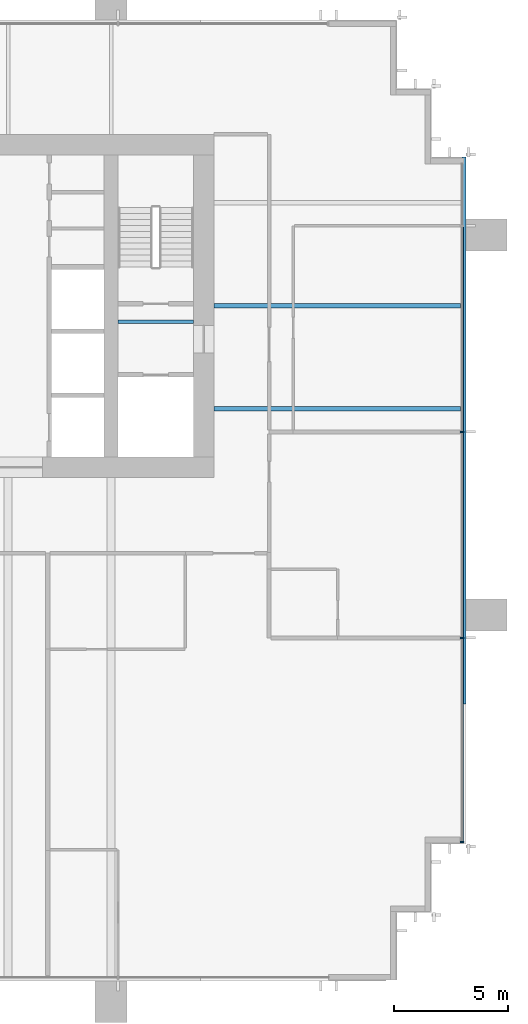
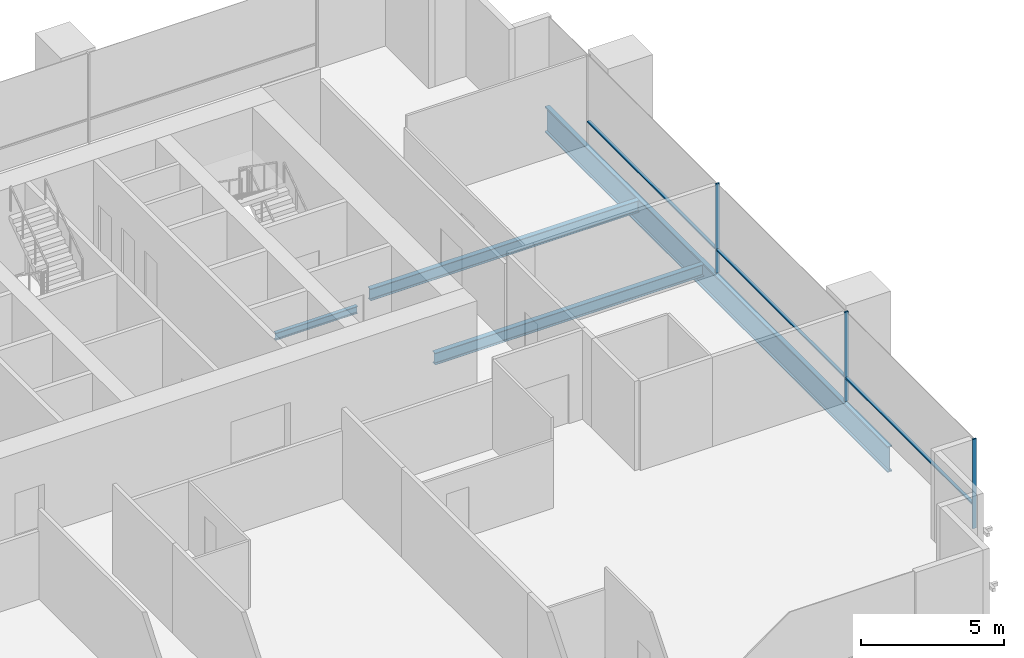
# One storey, part 6 of 14: 6 members, 4 beams, 1 element without a shape of its own.
"""IFC4 building model written with IfcOpenShell, lengths in metres."""

from ifc_helpers import new_model, si_unit, direction, frame, origin, origin_2d, place, context, subcontext, project, spatial, rectangle, i_section, extrude, material, material_profile, profile_set, type_object, element, aggregate, save


model = new_model("IFC4")

# Units and contexts
model_context = context("Model", 3, precision=1e-05, world=origin(), true_north=direction((0.0, 1.0)))
body_context = subcontext(model_context, "Body", "Model", "MODEL_VIEW")
ifc_project = project(units=[si_unit("LENGTHUNIT", "METRE"), si_unit("AREAUNIT", "SQUARE_METRE"), si_unit("VOLUMEUNIT", "CUBIC_METRE"), si_unit("PLANEANGLEUNIT", "RADIAN"), si_unit("MASSUNIT", "GRAM", prefix="KILO")], contexts=[model_context])

# Site, building, storey
site_placement = place(None, origin())
site = spatial("IfcSite", under=ifc_project, at=site_placement, CompositionType="ELEMENT")
building_placement = place(site_placement, origin())
building = spatial("IfcBuilding", under=site, at=building_placement, Name="Rattan Terrace Tower", CompositionType="ELEMENT")
storey_placement = place(building_placement, frame((0.0, 0.0, 154.10009765625)))
storey = spatial("IfcBuildingStorey", under=building, at=storey_placement, Name="L35", CompositionType="ELEMENT", Elevation=154.10009765625)

# Curtain wall, members
ifc_material_1 = material(Name="Aluminium and glass", Category="aluminium")
curtain_wall_type = type_object("IfcCurtainWallType", Name="Facade Unitised Curtain Wall", PredefinedType="NOTDEFINED", material=ifc_material_1)
curtain_wall_placement = place(storey_placement, origin())
curtain_wall = element("IfcCurtainWall", 1, at=curtain_wall_placement, inside=storey, type_object=curtain_wall_type, Name="Curtain wall L35-1", PredefinedType="NOTDEFINED")
ifc_material_2 = material(Name="Aluminium", Category="aluminium")
ifc_material_profile_1 = material_profile(ifc_material_2, rectangle(XDim=0.06005859375, YDim=0.159912109375, at=origin_2d()), Name="Aluminium 60x160")
ifc_profile_set_1 = profile_set([ifc_material_profile_1], Name="Aluminium")
member_type_1 = type_object("IfcMemberType", Name="Facade CW Mullion 60x160", PredefinedType="MULLION", material=ifc_profile_set_1)
member_1_placement = place(storey_placement, frame((28.830078125, -23.425048828125, 0.0), z_axis=(0.0, 0.0, 1.0), x_axis=(0.0, 1.0, 0.0)))
member_1 = element("IfcMember", 2, at=member_1_placement, type_object=member_type_1, Name="Mullion cwl-L35-001.1", PredefinedType="MULLION", context=body_context, shape_type="SweptSolid", body=[
    extrude(rectangle(XDim=0.06005859375, YDim=0.159912109375, at=origin_2d()), origin(), (0.0, 0.0, 1.0), 3.7998046875),
])
member_2_placement = place(storey_placement, frame((28.830078125, -14.5, 0.0), z_axis=(0.0, 0.0, 1.0), x_axis=(0.0, 1.0, 0.0)))
member_2 = element("IfcMember", 3, at=member_2_placement, type_object=member_type_1, Name="Mullion cwl-L35-001.2", PredefinedType="MULLION", context=body_context, shape_type="SweptSolid", body=[
    extrude(rectangle(XDim=0.06005859375, YDim=0.159912109375, at=origin_2d()), origin(), (0.0, 0.0, 1.0), 3.7998046875),
])
member_3_placement = place(storey_placement, frame((28.830078125, -5.5, 0.0), z_axis=(0.0, 0.0, 1.0), x_axis=(0.0, 1.0, 0.0)))
member_3 = element("IfcMember", 4, at=member_3_placement, type_object=member_type_1, Name="Mullion cwl-L35-001.3", PredefinedType="MULLION", context=body_context, shape_type="SweptSolid", body=[
    extrude(rectangle(XDim=0.06005859375, YDim=0.159912109375, at=origin_2d()), origin(), (0.0, 0.0, 1.0), 3.7998046875),
])
ifc_material_3 = material(Name="Aluminium", Category="aluminium")
ifc_material_profile_2 = material_profile(ifc_material_3, rectangle(XDim=0.1201171875, YDim=0.06005859375, at=origin_2d()), Name="Aluminium 120x60")
ifc_profile_set_2 = profile_set([ifc_material_profile_2], Name="Aluminium")
member_type_2 = type_object("IfcMemberType", Name="Facade CW Transom 120x60", PredefinedType="USERDEFINED", material=ifc_profile_set_2)
member_4_placement = place(storey_placement, frame((28.830078125, -23.39501953125, 1.0), z_axis=(0.0, 1.0, 0.0), x_axis=(-1.0, 0.0, 0.0)))
member_4 = element("IfcMember", 5, at=member_4_placement, type_object=member_type_2, Name="Transom cwl-L35-001.1", ObjectType="TRANSOM", PredefinedType="USERDEFINED", context=body_context, shape_type="SweptSolid", body=[
    extrude(rectangle(XDim=0.1201171875, YDim=0.06005859375, at=origin_2d()), origin(), (0.0, 0.0, 1.0), 8.864990234375),
])
member_5_placement = place(storey_placement, frame((28.830078125, -14.469970703125, 1.0), z_axis=(0.0, 1.0, 0.0), x_axis=(-1.0, 0.0, 0.0)))
member_5 = element("IfcMember", 6, at=member_5_placement, type_object=member_type_2, Name="Transom cwl-L35-001.2", ObjectType="TRANSOM", PredefinedType="USERDEFINED", context=body_context, shape_type="SweptSolid", body=[
    extrude(rectangle(XDim=0.1201171875, YDim=0.06005859375, at=origin_2d()), origin(), (0.0, 0.0, 1.0), 8.93994140625),
])
member_6_placement = place(storey_placement, frame((28.830078125, -5.469970703125, 1.0), z_axis=(0.0, 1.0, 0.0), x_axis=(-1.0, 0.0, 0.0)))
member_6 = element("IfcMember", 7, at=member_6_placement, type_object=member_type_2, Name="Transom cwl-L35-001.3", ObjectType="TRANSOM", PredefinedType="USERDEFINED", context=body_context, shape_type="SweptSolid", body=[
    extrude(rectangle(XDim=0.1201171875, YDim=0.06005859375, at=origin_2d()), origin(), (0.0, 0.0, 1.0), 8.93994140625),
])
aggregate(curtain_wall, [member_1, member_2, member_3, member_4, member_5, member_6])

# Beams
ifc_material_4 = material(Name="Steel S460", Category="steel")
ifc_material_profile_3 = material_profile(ifc_material_4, i_section(OverallWidth=0.179931640625, OverallDepth=1.10009765625, WebThickness=0.01611328125, FlangeThickness=0.050048828125, at=origin_2d()), Name="PG 1100x180-16-50")
ifc_profile_set_3 = profile_set([ifc_material_profile_3], Name="Steel S460")
beam_type_1 = type_object("IfcBeamType", Name="Frame edge girder PG 1100x180-16-50", PredefinedType="SPANDREL", material=ifc_profile_set_3)
beam_1_placement = place(storey_placement, frame((28.909912109375, 6.5, -0.75), z_axis=(0.0, -1.0, 0.0), x_axis=(1.0, 0.0, 0.0)))
element("IfcBeam", 8, at=beam_1_placement, inside=storey, type_object=beam_type_1, Name="gdr-L35-004", PredefinedType="SPANDREL", context=body_context, shape_type="SweptSolid", body=[
    extrude(i_section(OverallWidth=0.179931640625, OverallDepth=1.10009765625, WebThickness=0.01611328125, FlangeThickness=0.050048828125, at=origin_2d()), origin(), (0.0, 0.0, 1.0), 23.89990234375),
])
ifc_material_5 = material(Name="Steel S355", Category="steel")
ifc_material_profile_4 = material_profile(ifc_material_5, i_section(OverallWidth=0.14990234375, OverallDepth=0.300048828125, WebThickness=0.007080078125, FlangeThickness=0.0107421875, FilletRadius=0.014892578125, at=origin_2d()), Name="IPE 300")
ifc_profile_set_4 = profile_set([ifc_material_profile_4], Name="Steel S355")
beam_type_2 = type_object("IfcBeamType", Name="Frame floor beam IPE 300", PredefinedType="JOIST", material=ifc_profile_set_4)
beam_2_placement = place(storey_placement, frame((13.800048828125, -0.695068359375, -0.35009765625), z_axis=(1.0, 0.0, 0.0), x_axis=(0.0, 1.0, 0.0)))
element("IfcBeam", 9, at=beam_2_placement, inside=storey, type_object=beam_type_2, Name="bm-L35-002", PredefinedType="JOIST", context=body_context, shape_type="SweptSolid", body=[
    extrude(i_section(OverallWidth=0.14990234375, OverallDepth=0.300048828125, WebThickness=0.007080078125, FlangeThickness=0.0107421875, FilletRadius=0.014892578125, at=origin_2d()), origin(), (0.0, 0.0, 1.0), 3.300048828125),
])
ifc_material_6 = material(Name="Steel S355", Category="steel")
ifc_material_profile_5 = material_profile(ifc_material_6, i_section(OverallWidth=0.199951171875, OverallDepth=0.5, WebThickness=0.01025390625, FlangeThickness=0.01611328125, FilletRadius=0.02099609375, at=origin_2d()), Name="IPE 500")
ifc_profile_set_5 = profile_set([ifc_material_profile_5], Name="Steel S355")
beam_type_3 = type_object("IfcBeamType", Name="Frame floor beam IPE 500", PredefinedType="JOIST", material=ifc_profile_set_5)
for number, where, z_axis, x_axis, name in (
    (10, (18.0, -4.5, -0.4501953125), (1.0, 0.0, 0.0), (0.0, 1.0, 0.0), "bm-L35-011"),
    (11, (18.0, 0.0, -0.4501953125), (1.0, 0.0, 0.0), (0.0, 1.0, 0.0), "bm-L35-013"),
):
    element("IfcBeam", number, at=place(storey_placement, frame(where, z_axis=z_axis, x_axis=x_axis)), inside=storey, type_object=beam_type_3, Name=name, PredefinedType="JOIST", context=body_context, shape_type="SweptSolid", body=[
        extrude(i_section(OverallWidth=0.199951171875, OverallDepth=0.5, WebThickness=0.01025390625, FlangeThickness=0.01611328125, FilletRadius=0.02099609375, at=origin_2d()), origin(), (0.0, 0.0, 1.0), 10.820068359375),
    ])

save(model, "model.ifc")
